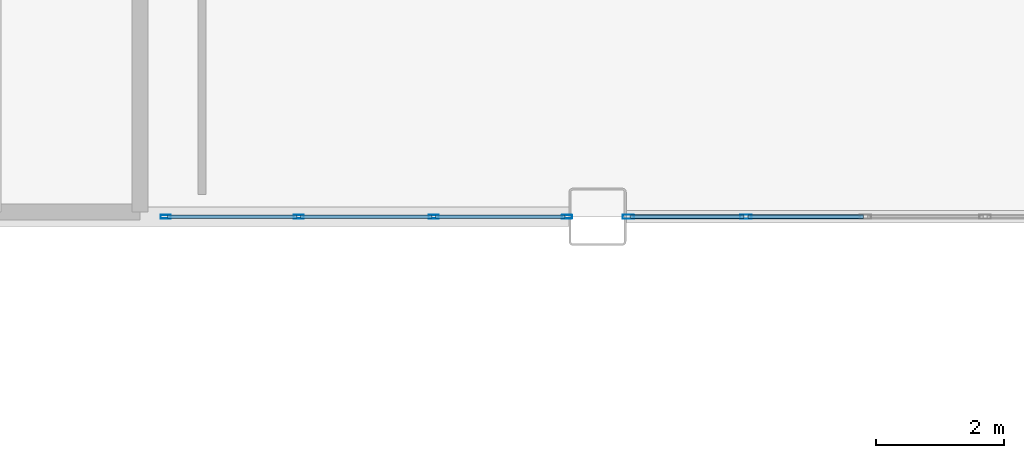
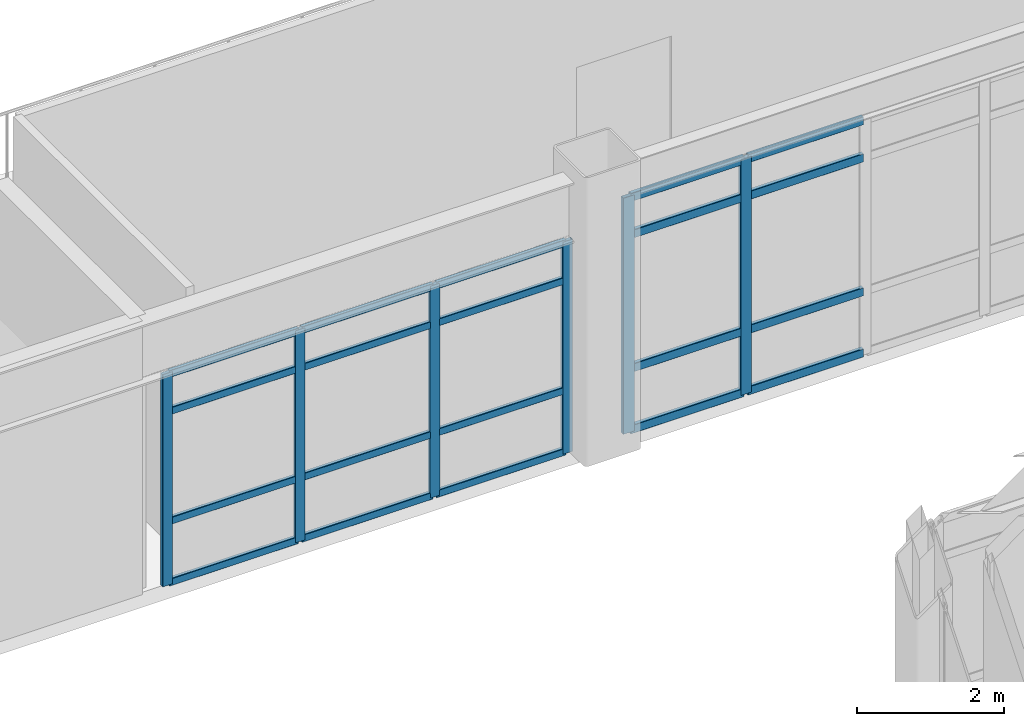
# One storey, part 28 of 172: 26 members, 2 elements without a shape of their own.
"""IFC4 building model written with IfcOpenShell, lengths in metres."""

import ifcopenshell
import ifcopenshell.guid

model = None  # the IFC model being written
_history = None  # IfcOwnerHistory: only IFC2X3 demands one
_inside = {}  # id of a spatial element -> (the spatial element, [elements in it])
_under = {}  # id of a project, library or spatial element -> (it, [spatial elements below it])
_declared = {}  # id of a project -> (the project, [libraries it declares])
_typed = {}  # id of a type object -> (the type object, [elements of that type])
_made_of = {}  # id of a material, layer set ... -> (it, [elements and type objects made of it])


def new_model(schema):
    """Start an empty IFC model of exactly this schema.

    Asked for "IFC4X3", IfcOpenShell would pick the latest addendum, in which some entities
    have other attributes; the version numbers below select the first issue.
    IFC2X3 requires an IfcOwnerHistory on every rooted entity: one is made here for all.
    """
    global model, _history
    if schema == "IFC4X3":
        model = ifcopenshell.file(schema_version=(4, 3, 0, 0))
    else:
        model = ifcopenshell.file(schema=schema)
    _inside.clear()
    _under.clear()
    _declared.clear()
    _typed.clear()
    _made_of.clear()
    _history = None
    if model.schema == "IFC2X3":
        org = make("IfcOrganization", Name="unknown")
        user = make(
            "IfcPersonAndOrganization",
            ThePerson=make("IfcPerson", FamilyName="unknown"),
            TheOrganization=org,
        )
        app = make(
            "IfcApplication",
            ApplicationDeveloper=org,
            Version="unknown",
            ApplicationFullName="unknown",
            ApplicationIdentifier="unknown",
        )
        _history = make(
            "IfcOwnerHistory",
            OwningUser=user,
            OwningApplication=app,
            ChangeAction="ADDED",
            CreationDate=0,
        )
    return model


def make(cls, **values):
    """One entity of the class cls with the attributes given. An attribute that is None is left unset."""
    return model.create_entity(
        cls, **{name: value for name, value in values.items() if value is not None}
    )


def rooted(cls, **values):
    """An entity with a GlobalId (a new one), such as an element, a storey or a relation."""
    return make(cls, GlobalId=ifcopenshell.guid.new(), OwnerHistory=_history, **values)


def si_unit(unit_type, name, prefix=None):
    """IfcSIUnit, for example si_unit("LENGTHUNIT", "METRE", prefix="MILLI")."""
    return make("IfcSIUnit", UnitType=unit_type, Prefix=prefix, Name=name)


def assignment(units):
    """IfcUnitAssignment: the units of a project."""
    return None if units is None else make("IfcUnitAssignment", Units=units)


def point(xyz):
    """IfcCartesianPoint."""
    return None if xyz is None else make("IfcCartesianPoint", Coordinates=xyz)


def direction(xyz):
    """IfcDirection."""
    return None if xyz is None else make("IfcDirection", DirectionRatios=xyz)


def frame(location, z_axis=None, x_axis=None):
    """IfcAxis2Placement3D, a coordinate frame: its origin and axes. An axis left out is left unset."""
    return make(
        "IfcAxis2Placement3D",
        Location=point(location),
        Axis=direction(z_axis),
        RefDirection=direction(x_axis),
    )


def frame_2d(location, x_axis=None):
    """IfcAxis2Placement2D, a coordinate frame in the plane: its origin and x axis."""
    return make(
        "IfcAxis2Placement2D", Location=point(location), RefDirection=direction(x_axis)
    )


def origin():
    """The frame at (0, 0, 0) with its axes left unset."""
    return frame((0.0, 0.0, 0.0))


def origin_2d():
    """The frame at (0, 0) in the plane with its x axis left unset."""
    return frame_2d((0.0, 0.0))


def place(relative_to, where):
    """IfcLocalPlacement: puts the frame where relative to a parent placement (None: the world)."""
    return make(
        "IfcLocalPlacement", PlacementRelTo=relative_to, RelativePlacement=where
    )


def context(
    kind, dimensions, precision=None, world=None, true_north=None, identifier=None
):
    """IfcGeometricRepresentationContext, for example the 3D "Model" context."""
    return make(
        "IfcGeometricRepresentationContext",
        ContextIdentifier=identifier,
        ContextType=kind,
        CoordinateSpaceDimension=dimensions,
        Precision=precision,
        WorldCoordinateSystem=world,
        TrueNorth=true_north,
    )


def subcontext(parent, identifier, kind, view, scale=None):
    """IfcGeometricRepresentationSubContext, for example "Body" below "Model"."""
    return make(
        "IfcGeometricRepresentationSubContext",
        ContextIdentifier=identifier,
        ContextType=kind,
        ParentContext=parent,
        TargetScale=scale,
        TargetView=view,
    )


def project(units=None, contexts=None):
    """IfcProject with its units and contexts."""
    return rooted(
        "IfcProject",
        Name="project",
        RepresentationContexts=contexts,
        UnitsInContext=assignment(units),
    )


def spatial(cls, under=None, at=None, **own):
    """A site, building, storey or space (cls), placed at a placement, below another one or the project."""
    s = rooted(cls, ObjectPlacement=at, **own)
    if under is not None:
        _under.setdefault(under.id(), (under, []))[1].append(s)
    return s


def profile(cls, at=None, kind="AREA", **sizes):
    """A parametric profile (cls). Its sizes go by their IFC names, for example OverallWidth=200.0."""
    return make(cls, ProfileType=kind, Position=at, **sizes)


def hollow_rectangle(**sizes):
    """IfcRectangleHollowProfileDef."""
    return profile("IfcRectangleHollowProfileDef", **sizes)


def extrude(swept, where, along, depth):
    """IfcExtrudedAreaSolid: the profile swept, set in the frame where, extruded along a direction by depth."""
    return make(
        "IfcExtrudedAreaSolid",
        SweptArea=swept,
        Position=where,
        ExtrudedDirection=direction(along),
        Depth=depth,
    )


def shape(context_of_items, identifier, shape_type, items):
    """IfcShapeRepresentation: the items that make up one representation, for example the "Body"."""
    return make(
        "IfcShapeRepresentation",
        ContextOfItems=context_of_items,
        RepresentationIdentifier=identifier,
        RepresentationType=shape_type,
        Items=items,
    )


def material(Name=None, Category=None):
    """IfcMaterial."""
    return make("IfcMaterial", Name=Name, Category=Category)


def layer(
    of_material, thickness, ventilated=None, Name=None, Category=None, Priority=None
):
    """IfcMaterialLayer: one layer of a wall or slab, of a material (None: an air gap)."""
    return make(
        "IfcMaterialLayer",
        Material=of_material,
        LayerThickness=thickness,
        IsVentilated=ventilated,
        Name=Name,
        Category=Category,
        Priority=Priority,
    )


def layer_set(layers, Name=None):
    """IfcMaterialLayerSet."""
    return make("IfcMaterialLayerSet", MaterialLayers=layers, LayerSetName=Name)


def material_profile(
    of_material, cross_section, Name=None, Category=None, Priority=None
):
    """IfcMaterialProfile: a cross section and its material."""
    return make(
        "IfcMaterialProfile",
        Name=Name,
        Material=of_material,
        Profile=cross_section,
        Priority=Priority,
        Category=Category,
    )


def profile_set(profiles, Name=None, composite=None):
    """IfcMaterialProfileSet."""
    return make(
        "IfcMaterialProfileSet",
        Name=Name,
        MaterialProfiles=profiles,
        CompositeProfile=composite,
    )


def made_of(thing, what):
    """Note that an element or type object is made of a material, layer set ...; save() writes the relation."""
    if what is not None:
        _made_of.setdefault(what.id(), (what, []))[1].append(thing)
    return thing


def type_object(cls, material=None, **own):
    """A type object (cls), such as IfcWallType, which elements share."""
    return made_of(rooted(cls, **own), material)


def element(
    cls,
    number,
    at=None,
    inside=None,
    cuts=None,
    type_object=None,
    material=None,
    context=None,
    identifier="Body",
    shape_type=None,
    held_by="IfcProductDefinitionShape",
    body=None,
    shapes=None,
    **own,
):
    """One element of the class cls, such as IfcWall. Its Tag is "e" and its number.

    at: its placement. inside: the storey or other place that contains it. cuts: it is an
    opening in that element (IfcRelVoidsElement). A single representation is given by context,
    identifier, shape_type and body (its items); several are given by shapes. held_by: the class
    of the entity that holds the representations. save() writes the other relations.
    """
    e = rooted(cls, Tag="e%d" % number, ObjectPlacement=at, **own)
    if body is not None:
        shapes = [shape(context, identifier, shape_type, body)]
    if shapes is not None:
        e.Representation = make(held_by, Representations=shapes)
    if inside is not None:
        _inside.setdefault(inside.id(), (inside, []))[1].append(e)
    if cuts is not None:
        rooted(
            "IfcRelVoidsElement", RelatingBuildingElement=cuts, RelatedOpeningElement=e
        )
    if type_object is not None:
        _typed.setdefault(type_object.id(), (type_object, []))[1].append(e)
    return made_of(e, material)


def aggregate(whole, parts):
    """IfcRelAggregates: a whole, such as a stair, and the parts it consists of."""
    return rooted("IfcRelAggregates", RelatingObject=whole, RelatedObjects=parts)


def save(model, path):
    """Write the relations noted so far, then the file.

    IfcRelAggregates (storeys below a building ...), IfcRelContainedInSpatialStructure (elements
    in a storey), IfcRelDefinesByType, IfcRelAssociatesMaterial and IfcRelDeclares: one each for
    every whole, place, type object, material and project.
    """
    for whole, parts in _under.values():
        aggregate(whole, parts)
    for where, things in _inside.values():
        rooted(
            "IfcRelContainedInSpatialStructure",
            RelatedElements=things,
            RelatingStructure=where,
        )
    for kind, things in _typed.values():
        rooted("IfcRelDefinesByType", RelatedObjects=things, RelatingType=kind)
    for what, things in _made_of.values():
        rooted("IfcRelAssociatesMaterial", RelatedObjects=things, RelatingMaterial=what)
    for by, libraries in _declared.values():
        rooted("IfcRelDeclares", RelatingContext=by, RelatedDefinitions=libraries)
    model.write(path)


model = new_model("IFC4")

# Units and contexts
model_context = context("Model", 3, precision=1e-05, world=origin(), true_north=direction((0.0, 1.0)))
body_context = subcontext(model_context, "Body", "Model", "MODEL_VIEW")
ifc_project = project(units=[si_unit("LENGTHUNIT", "METRE"), si_unit("AREAUNIT", "SQUARE_METRE"), si_unit("VOLUMEUNIT", "CUBIC_METRE"), si_unit("PLANEANGLEUNIT", "RADIAN"), si_unit("MASSUNIT", "GRAM", prefix="KILO")], contexts=[model_context])

# Site, building, storey
site_placement = place(None, origin())
site = spatial("IfcSite", under=ifc_project, at=site_placement, CompositionType="ELEMENT")
building_placement = place(site_placement, origin())
building = spatial("IfcBuilding", under=site, at=building_placement, Name="Kazehara Bluff Congress Hotel", CompositionType="ELEMENT")
storey_placement = place(building_placement, frame((0.0, 0.0, 5.39990234375)))
storey = spatial("IfcBuildingStorey", under=building, at=storey_placement, Name="L01", CompositionType="ELEMENT", Elevation=5.39990234375)

# Curtain wall, members
ifc_material_1 = material(Name="Anodised aluminium", Category="aluminium")
ifc_layer_1 = layer(ifc_material_1, 0.159912109375)
ifc_layer_set_1 = layer_set([ifc_layer_1], Name="Anodised aluminium")
curtain_wall_type_1 = type_object("IfcCurtainWallType", Name="TP-CW-12", PredefinedType="NOTDEFINED", material=ifc_layer_set_1)
curtain_wall_1_placement = place(storey_placement, origin())
curtain_wall_1 = element("IfcCurtainWall", 1, at=curtain_wall_1_placement, inside=storey, type_object=curtain_wall_type_1, Name="L01 curtain wall CW-12 CW-V1-L01-Y4845-1840", PredefinedType="NOTDEFINED")
ifc_material_2 = material(Name="Anodised aluminium", Category="aluminium")
ifc_material_profile_1 = material_profile(ifc_material_2, hollow_rectangle(XDim=0.06005859375, YDim=0.159912109375, WallThickness=0.00390625, InnerFilletRadius=0.00390625, OuterFilletRadius=0.008056640625, at=origin_2d()))
ifc_profile_set_1 = profile_set([ifc_material_profile_1], Name="Anodised aluminium")
member_type_1 = type_object("IfcMemberType", Name="TP-CWM-01", PredefinedType="MULLION", material=ifc_profile_set_1)
member_1_placement = place(storey_placement, frame((18.429931640625, 48.449951171875, 0.0), z_axis=(0.0, 0.0, 1.0), x_axis=(0.0, 1.0, 0.0)))
member_1 = element("IfcMember", 2, at=member_1_placement, type_object=member_type_1, Name="CW-12 mullion 1", PredefinedType="MULLION", context=body_context, shape_type="SweptSolid", body=[
    extrude(hollow_rectangle(XDim=0.06005859375, YDim=0.159912109375, WallThickness=0.00390625, InnerFilletRadius=0.00390625, OuterFilletRadius=0.008056640625, at=origin_2d()), origin(), (0.0, 0.0, 1.0), 3.525146484375),
])
member_2_placement = place(storey_placement, frame((20.5166015625, 48.449951171875, 0.0), z_axis=(0.0, 0.0, 1.0), x_axis=(0.0, 1.0, 0.0)))
member_2 = element("IfcMember", 3, at=member_2_placement, type_object=member_type_1, Name="CW-12 mullion 2", PredefinedType="MULLION", context=body_context, shape_type="SweptSolid", body=[
    extrude(hollow_rectangle(XDim=0.06005859375, YDim=0.159912109375, WallThickness=0.00390625, InnerFilletRadius=0.00390625, OuterFilletRadius=0.008056640625, at=origin_2d()), origin(), (0.0, 0.0, 1.0), 3.525146484375),
])
member_3_placement = place(storey_placement, frame((22.63330078125, 48.449951171875, 0.0), z_axis=(0.0, 0.0, 1.0), x_axis=(0.0, 1.0, 0.0)))
member_3 = element("IfcMember", 4, at=member_3_placement, type_object=member_type_1, Name="CW-12 mullion 3", PredefinedType="MULLION", context=body_context, shape_type="SweptSolid", body=[
    extrude(hollow_rectangle(XDim=0.06005859375, YDim=0.159912109375, WallThickness=0.00390625, InnerFilletRadius=0.00390625, OuterFilletRadius=0.008056640625, at=origin_2d()), origin(), (0.0, 0.0, 1.0), 3.525146484375),
])
member_4_placement = place(storey_placement, frame((24.719970703125, 48.449951171875, 0.0), z_axis=(0.0, 0.0, 1.0), x_axis=(0.0, 1.0, 0.0)))
member_4 = element("IfcMember", 5, at=member_4_placement, type_object=member_type_1, Name="CW-12 mullion 4", PredefinedType="MULLION", context=body_context, shape_type="SweptSolid", body=[
    extrude(hollow_rectangle(XDim=0.06005859375, YDim=0.159912109375, WallThickness=0.00390625, InnerFilletRadius=0.00390625, OuterFilletRadius=0.008056640625, at=origin_2d()), origin(), (0.0, 0.0, 1.0), 3.525146484375),
])

ifc_material_3 = material(Name="Anodised aluminium", Category="aluminium")
ifc_layer_2 = layer(ifc_material_3, 0.159912109375)
ifc_layer_set_2 = layer_set([ifc_layer_2], Name="Anodised aluminium")
curtain_wall_type_2 = type_object("IfcCurtainWallType", Name="TP-CW-13", PredefinedType="NOTDEFINED", material=ifc_layer_set_2)
curtain_wall_2_placement = place(storey_placement, origin())
curtain_wall_2 = element("IfcCurtainWall", 6, at=curtain_wall_2_placement, inside=storey, type_object=curtain_wall_type_2, Name="L01 curtain wall CW-13 CW-V1-L01-Y4845-2565", PredefinedType="NOTDEFINED")
ifc_material_4 = material(Name="Anodised aluminium", Category="aluminium")
ifc_material_profile_2 = material_profile(ifc_material_4, hollow_rectangle(XDim=0.06494140625, YDim=0.179931640625, WallThickness=0.00390625, InnerFilletRadius=0.00390625, OuterFilletRadius=0.008056640625, at=origin_2d()))
ifc_profile_set_2 = profile_set([ifc_material_profile_2], Name="Anodised aluminium")
member_type_2 = type_object("IfcMemberType", Name="TP-CWM-02", PredefinedType="MULLION", material=ifc_profile_set_2)
member_5_placement = place(storey_placement, frame((25.6826171875, 48.449951171875, 0.0), z_axis=(0.0, 0.0, 1.0), x_axis=(0.0, 1.0, 0.0)))
member_5 = element("IfcMember", 7, at=member_5_placement, type_object=member_type_2, Name="CW-13 mullion 1", PredefinedType="MULLION", context=body_context, shape_type="SweptSolid", body=[
    extrude(hollow_rectangle(XDim=0.06494140625, YDim=0.179931640625, WallThickness=0.00390625, InnerFilletRadius=0.00390625, OuterFilletRadius=0.008056640625, at=origin_2d()), origin(), (0.0, 0.0, 1.0), 3.925048828125),
])
member_6_placement = place(storey_placement, frame((27.52490234375, 48.449951171875, 0.0), z_axis=(0.0, 0.0, 1.0), x_axis=(0.0, 1.0, 0.0)))
member_6 = element("IfcMember", 8, at=member_6_placement, type_object=member_type_2, Name="CW-13 mullion 2", PredefinedType="MULLION", context=body_context, shape_type="SweptSolid", body=[
    extrude(hollow_rectangle(XDim=0.06494140625, YDim=0.179931640625, WallThickness=0.00390625, InnerFilletRadius=0.00390625, OuterFilletRadius=0.008056640625, at=origin_2d()), origin(), (0.0, 0.0, 1.0), 3.925048828125),
])

# Member
ifc_material_5 = material(Name="Anodised aluminium", Category="aluminium")
ifc_material_profile_3 = material_profile(ifc_material_5, hollow_rectangle(XDim=0.06005859375, YDim=0.1201171875, WallThickness=0.00390625, InnerFilletRadius=0.00390625, OuterFilletRadius=0.008056640625, at=origin_2d()))
ifc_profile_set_3 = profile_set([ifc_material_profile_3], Name="Anodised aluminium")
member_type_3 = type_object("IfcMemberType", Name="TP-CWT-01", PredefinedType="USERDEFINED", material=ifc_profile_set_3)
member_7_placement = place(storey_placement, frame((18.4599609375, 48.449951171875, 0.030029296875), z_axis=(1.0, 0.0, 0.0), x_axis=(0.0, 1.0, 0.0)))
member_7 = element("IfcMember", 9, at=member_7_placement, type_object=member_type_3, Name="CW-12 transom 1.1", ObjectType="TRANSOM", PredefinedType="USERDEFINED", context=body_context, shape_type="SweptSolid", body=[
    extrude(hollow_rectangle(XDim=0.06005859375, YDim=0.1201171875, WallThickness=0.00390625, InnerFilletRadius=0.00390625, OuterFilletRadius=0.008056640625, at=origin_2d()), origin(), (0.0, 0.0, 1.0), 2.026611328125),
])

member_8_placement = place(storey_placement, frame((18.4599609375, 48.449951171875, 1.050048828125), z_axis=(1.0, 0.0, 0.0), x_axis=(0.0, 1.0, 0.0)))
member_8 = element("IfcMember", 10, at=member_8_placement, type_object=member_type_3, Name="CW-12 transom 1.2", ObjectType="TRANSOM", PredefinedType="USERDEFINED", context=body_context, shape_type="SweptSolid", body=[
    extrude(hollow_rectangle(XDim=0.06005859375, YDim=0.1201171875, WallThickness=0.00390625, InnerFilletRadius=0.00390625, OuterFilletRadius=0.008056640625, at=origin_2d()), origin(), (0.0, 0.0, 1.0), 2.026611328125),
])

member_9_placement = place(storey_placement, frame((18.4599609375, 48.449951171875, 2.875), z_axis=(1.0, 0.0, 0.0), x_axis=(0.0, 1.0, 0.0)))
member_9 = element("IfcMember", 11, at=member_9_placement, type_object=member_type_3, Name="CW-12 transom 1.3", ObjectType="TRANSOM", PredefinedType="USERDEFINED", context=body_context, shape_type="SweptSolid", body=[
    extrude(hollow_rectangle(XDim=0.06005859375, YDim=0.1201171875, WallThickness=0.00390625, InnerFilletRadius=0.00390625, OuterFilletRadius=0.008056640625, at=origin_2d()), origin(), (0.0, 0.0, 1.0), 2.026611328125),
])

member_10_placement = place(storey_placement, frame((18.4599609375, 48.449951171875, 3.4951171875), z_axis=(1.0, 0.0, 0.0), x_axis=(0.0, 1.0, 0.0)))
member_10 = element("IfcMember", 12, at=member_10_placement, type_object=member_type_3, Name="CW-12 transom 1.4", ObjectType="TRANSOM", PredefinedType="USERDEFINED", context=body_context, shape_type="SweptSolid", body=[
    extrude(hollow_rectangle(XDim=0.06005859375, YDim=0.1201171875, WallThickness=0.00390625, InnerFilletRadius=0.00390625, OuterFilletRadius=0.008056640625, at=origin_2d()), origin(), (0.0, 0.0, 1.0), 2.026611328125),
])

member_11_placement = place(storey_placement, frame((20.546630859375, 48.449951171875, 0.030029296875), z_axis=(1.0, 0.0, 0.0), x_axis=(0.0, 1.0, 0.0)))
member_11 = element("IfcMember", 13, at=member_11_placement, type_object=member_type_3, Name="CW-12 transom 2.1", ObjectType="TRANSOM", PredefinedType="USERDEFINED", context=body_context, shape_type="SweptSolid", body=[
    extrude(hollow_rectangle(XDim=0.06005859375, YDim=0.1201171875, WallThickness=0.00390625, InnerFilletRadius=0.00390625, OuterFilletRadius=0.008056640625, at=origin_2d()), origin(), (0.0, 0.0, 1.0), 2.056640625),
])

member_12_placement = place(storey_placement, frame((20.546630859375, 48.449951171875, 1.050048828125), z_axis=(1.0, 0.0, 0.0), x_axis=(0.0, 1.0, 0.0)))
member_12 = element("IfcMember", 14, at=member_12_placement, type_object=member_type_3, Name="CW-12 transom 2.2", ObjectType="TRANSOM", PredefinedType="USERDEFINED", context=body_context, shape_type="SweptSolid", body=[
    extrude(hollow_rectangle(XDim=0.06005859375, YDim=0.1201171875, WallThickness=0.00390625, InnerFilletRadius=0.00390625, OuterFilletRadius=0.008056640625, at=origin_2d()), origin(), (0.0, 0.0, 1.0), 2.056640625),
])

member_13_placement = place(storey_placement, frame((20.546630859375, 48.449951171875, 2.875), z_axis=(1.0, 0.0, 0.0), x_axis=(0.0, 1.0, 0.0)))
member_13 = element("IfcMember", 15, at=member_13_placement, type_object=member_type_3, Name="CW-12 transom 2.3", ObjectType="TRANSOM", PredefinedType="USERDEFINED", context=body_context, shape_type="SweptSolid", body=[
    extrude(hollow_rectangle(XDim=0.06005859375, YDim=0.1201171875, WallThickness=0.00390625, InnerFilletRadius=0.00390625, OuterFilletRadius=0.008056640625, at=origin_2d()), origin(), (0.0, 0.0, 1.0), 2.056640625),
])

member_14_placement = place(storey_placement, frame((20.546630859375, 48.449951171875, 3.4951171875), z_axis=(1.0, 0.0, 0.0), x_axis=(0.0, 1.0, 0.0)))
member_14 = element("IfcMember", 16, at=member_14_placement, type_object=member_type_3, Name="CW-12 transom 2.4", ObjectType="TRANSOM", PredefinedType="USERDEFINED", context=body_context, shape_type="SweptSolid", body=[
    extrude(hollow_rectangle(XDim=0.06005859375, YDim=0.1201171875, WallThickness=0.00390625, InnerFilletRadius=0.00390625, OuterFilletRadius=0.008056640625, at=origin_2d()), origin(), (0.0, 0.0, 1.0), 2.056640625),
])

member_15_placement = place(storey_placement, frame((22.663330078125, 48.449951171875, 0.030029296875), z_axis=(1.0, 0.0, 0.0), x_axis=(0.0, 1.0, 0.0)))
member_15 = element("IfcMember", 17, at=member_15_placement, type_object=member_type_3, Name="CW-12 transom 3.1", ObjectType="TRANSOM", PredefinedType="USERDEFINED", context=body_context, shape_type="SweptSolid", body=[
    extrude(hollow_rectangle(XDim=0.06005859375, YDim=0.1201171875, WallThickness=0.00390625, InnerFilletRadius=0.00390625, OuterFilletRadius=0.008056640625, at=origin_2d()), origin(), (0.0, 0.0, 1.0), 2.026611328125),
])

member_16_placement = place(storey_placement, frame((22.663330078125, 48.449951171875, 1.050048828125), z_axis=(1.0, 0.0, 0.0), x_axis=(0.0, 1.0, 0.0)))
member_16 = element("IfcMember", 18, at=member_16_placement, type_object=member_type_3, Name="CW-12 transom 3.2", ObjectType="TRANSOM", PredefinedType="USERDEFINED", context=body_context, shape_type="SweptSolid", body=[
    extrude(hollow_rectangle(XDim=0.06005859375, YDim=0.1201171875, WallThickness=0.00390625, InnerFilletRadius=0.00390625, OuterFilletRadius=0.008056640625, at=origin_2d()), origin(), (0.0, 0.0, 1.0), 2.026611328125),
])

member_17_placement = place(storey_placement, frame((22.663330078125, 48.449951171875, 2.875), z_axis=(1.0, 0.0, 0.0), x_axis=(0.0, 1.0, 0.0)))
member_17 = element("IfcMember", 19, at=member_17_placement, type_object=member_type_3, Name="CW-12 transom 3.3", ObjectType="TRANSOM", PredefinedType="USERDEFINED", context=body_context, shape_type="SweptSolid", body=[
    extrude(hollow_rectangle(XDim=0.06005859375, YDim=0.1201171875, WallThickness=0.00390625, InnerFilletRadius=0.00390625, OuterFilletRadius=0.008056640625, at=origin_2d()), origin(), (0.0, 0.0, 1.0), 2.026611328125),
])

member_18_placement = place(storey_placement, frame((22.663330078125, 48.449951171875, 3.4951171875), z_axis=(1.0, 0.0, 0.0), x_axis=(0.0, 1.0, 0.0)))
member_18 = element("IfcMember", 20, at=member_18_placement, type_object=member_type_3, Name="CW-12 transom 3.4", ObjectType="TRANSOM", PredefinedType="USERDEFINED", context=body_context, shape_type="SweptSolid", body=[
    extrude(hollow_rectangle(XDim=0.06005859375, YDim=0.1201171875, WallThickness=0.00390625, InnerFilletRadius=0.00390625, OuterFilletRadius=0.008056640625, at=origin_2d()), origin(), (0.0, 0.0, 1.0), 2.026611328125),
])

aggregate(curtain_wall_1, [member_1, member_2, member_3, member_4, member_7, member_8, member_9, member_10, member_11, member_12, member_13, member_14, member_15, member_16, member_17, member_18])

ifc_material_6 = material(Name="Anodised aluminium", Category="aluminium")
ifc_material_profile_4 = material_profile(ifc_material_6, hollow_rectangle(XDim=0.06494140625, YDim=0.139892578125, WallThickness=0.00390625, InnerFilletRadius=0.00390625, OuterFilletRadius=0.008056640625, at=origin_2d()))
ifc_profile_set_4 = profile_set([ifc_material_profile_4], Name="Anodised aluminium")
member_type_4 = type_object("IfcMemberType", Name="TP-CWT-02", PredefinedType="USERDEFINED", material=ifc_profile_set_4)
member_19_placement = place(storey_placement, frame((25.715087890625, 48.449951171875, 0.03271484375), z_axis=(1.0, 0.0, 0.0), x_axis=(0.0, 1.0, 0.0)))
member_19 = element("IfcMember", 21, at=member_19_placement, type_object=member_type_4, Name="CW-13 transom 1.1", ObjectType="TRANSOM", PredefinedType="USERDEFINED", context=body_context, shape_type="SweptSolid", body=[
    extrude(hollow_rectangle(XDim=0.06494140625, YDim=0.139892578125, WallThickness=0.00390625, InnerFilletRadius=0.00390625, OuterFilletRadius=0.008056640625, at=origin_2d()), origin(), (0.0, 0.0, 1.0), 1.77734375),
])

member_20_placement = place(storey_placement, frame((25.715087890625, 48.449951171875, 1.050048828125), z_axis=(1.0, 0.0, 0.0), x_axis=(0.0, 1.0, 0.0)))
member_20 = element("IfcMember", 22, at=member_20_placement, type_object=member_type_4, Name="CW-13 transom 1.2", ObjectType="TRANSOM", PredefinedType="USERDEFINED", context=body_context, shape_type="SweptSolid", body=[
    extrude(hollow_rectangle(XDim=0.06494140625, YDim=0.139892578125, WallThickness=0.00390625, InnerFilletRadius=0.00390625, OuterFilletRadius=0.008056640625, at=origin_2d()), origin(), (0.0, 0.0, 1.0), 1.77734375),
])

member_21_placement = place(storey_placement, frame((25.715087890625, 48.449951171875, 3.275146484375), z_axis=(1.0, 0.0, 0.0), x_axis=(0.0, 1.0, 0.0)))
member_21 = element("IfcMember", 23, at=member_21_placement, type_object=member_type_4, Name="CW-13 transom 1.3", ObjectType="TRANSOM", PredefinedType="USERDEFINED", context=body_context, shape_type="SweptSolid", body=[
    extrude(hollow_rectangle(XDim=0.06494140625, YDim=0.139892578125, WallThickness=0.00390625, InnerFilletRadius=0.00390625, OuterFilletRadius=0.008056640625, at=origin_2d()), origin(), (0.0, 0.0, 1.0), 1.77734375),
])

member_22_placement = place(storey_placement, frame((25.715087890625, 48.449951171875, 3.892578125), z_axis=(1.0, 0.0, 0.0), x_axis=(0.0, 1.0, 0.0)))
member_22 = element("IfcMember", 24, at=member_22_placement, type_object=member_type_4, Name="CW-13 transom 1.4", ObjectType="TRANSOM", PredefinedType="USERDEFINED", context=body_context, shape_type="SweptSolid", body=[
    extrude(hollow_rectangle(XDim=0.06494140625, YDim=0.139892578125, WallThickness=0.00390625, InnerFilletRadius=0.00390625, OuterFilletRadius=0.008056640625, at=origin_2d()), origin(), (0.0, 0.0, 1.0), 1.77734375),
])

member_23_placement = place(storey_placement, frame((27.5576171875, 48.449951171875, 0.03271484375), z_axis=(1.0, 0.0, 0.0), x_axis=(0.0, 1.0, 0.0)))
member_23 = element("IfcMember", 25, at=member_23_placement, type_object=member_type_4, Name="CW-13 transom 2.1", ObjectType="TRANSOM", PredefinedType="USERDEFINED", context=body_context, shape_type="SweptSolid", body=[
    extrude(hollow_rectangle(XDim=0.06494140625, YDim=0.139892578125, WallThickness=0.00390625, InnerFilletRadius=0.00390625, OuterFilletRadius=0.008056640625, at=origin_2d()), origin(), (0.0, 0.0, 1.0), 1.809814453125),
])

member_24_placement = place(storey_placement, frame((27.5576171875, 48.449951171875, 1.050048828125), z_axis=(1.0, 0.0, 0.0), x_axis=(0.0, 1.0, 0.0)))
member_24 = element("IfcMember", 26, at=member_24_placement, type_object=member_type_4, Name="CW-13 transom 2.2", ObjectType="TRANSOM", PredefinedType="USERDEFINED", context=body_context, shape_type="SweptSolid", body=[
    extrude(hollow_rectangle(XDim=0.06494140625, YDim=0.139892578125, WallThickness=0.00390625, InnerFilletRadius=0.00390625, OuterFilletRadius=0.008056640625, at=origin_2d()), origin(), (0.0, 0.0, 1.0), 1.809814453125),
])

member_25_placement = place(storey_placement, frame((27.5576171875, 48.449951171875, 3.275146484375), z_axis=(1.0, 0.0, 0.0), x_axis=(0.0, 1.0, 0.0)))
member_25 = element("IfcMember", 27, at=member_25_placement, type_object=member_type_4, Name="CW-13 transom 2.3", ObjectType="TRANSOM", PredefinedType="USERDEFINED", context=body_context, shape_type="SweptSolid", body=[
    extrude(hollow_rectangle(XDim=0.06494140625, YDim=0.139892578125, WallThickness=0.00390625, InnerFilletRadius=0.00390625, OuterFilletRadius=0.008056640625, at=origin_2d()), origin(), (0.0, 0.0, 1.0), 1.809814453125),
])

member_26_placement = place(storey_placement, frame((27.5576171875, 48.449951171875, 3.892578125), z_axis=(1.0, 0.0, 0.0), x_axis=(0.0, 1.0, 0.0)))
member_26 = element("IfcMember", 28, at=member_26_placement, type_object=member_type_4, Name="CW-13 transom 2.4", ObjectType="TRANSOM", PredefinedType="USERDEFINED", context=body_context, shape_type="SweptSolid", body=[
    extrude(hollow_rectangle(XDim=0.06494140625, YDim=0.139892578125, WallThickness=0.00390625, InnerFilletRadius=0.00390625, OuterFilletRadius=0.008056640625, at=origin_2d()), origin(), (0.0, 0.0, 1.0), 1.809814453125),
])

aggregate(curtain_wall_2, [member_5, member_6, member_19, member_20, member_21, member_22, member_23, member_24, member_25, member_26])

save(model, "model.ifc")
